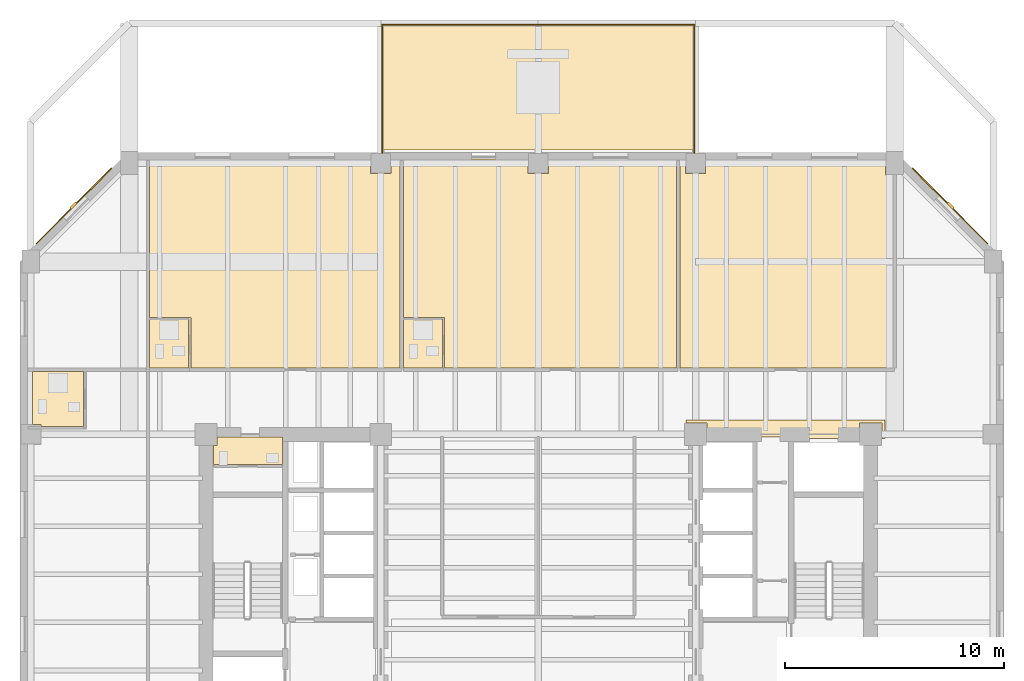
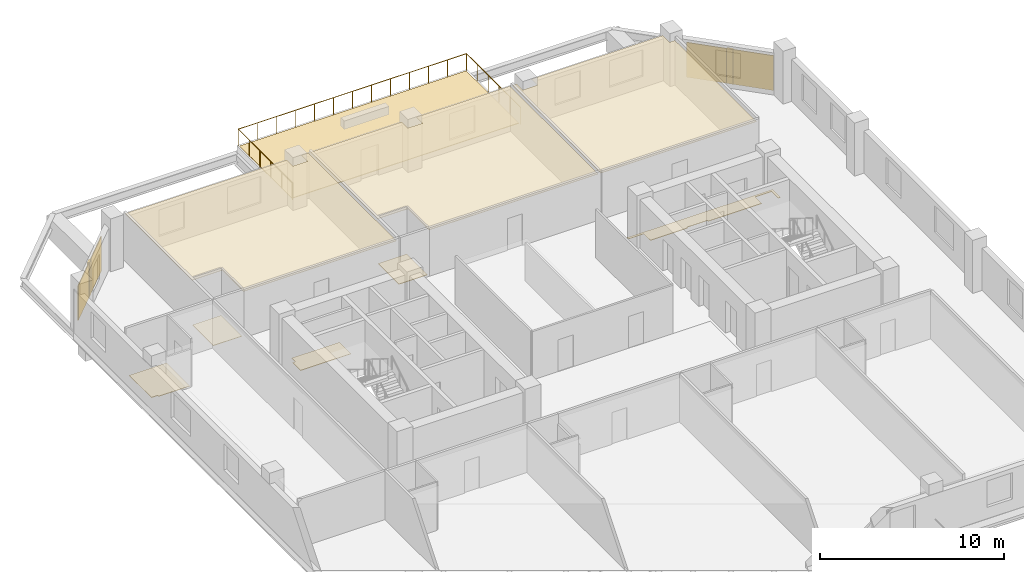
# One storey, part 10 of 11: 11 coverings, 2 shading devices, 1 railing.
"""IFC4 building model written with IfcOpenShell, lengths in metres."""

from ifc_helpers import new_model, si_unit, direction, frame, origin, origin_2d, place, context, subcontext, project, spatial, polyline, rectangle, circle, outline, extrude, material, layer, layer_set, type_object, element, save


model = new_model("IFC4")

# Units and contexts
model_context = context("Model", 3, precision=1e-05, world=origin(), true_north=direction((0.0, 1.0)))
body_context = subcontext(model_context, "Body", "Model", "MODEL_VIEW")
ifc_project = project(units=[si_unit("LENGTHUNIT", "METRE"), si_unit("AREAUNIT", "SQUARE_METRE"), si_unit("VOLUMEUNIT", "CUBIC_METRE"), si_unit("PLANEANGLEUNIT", "RADIAN"), si_unit("MASSUNIT", "GRAM", prefix="KILO")], contexts=[model_context])

# Site, building, storey
site_placement = place(None, origin())
site = spatial("IfcSite", under=ifc_project, at=site_placement, CompositionType="ELEMENT")
building_placement = place(site_placement, origin())
building = spatial("IfcBuilding", under=site, at=building_placement, Name="Kranthara Brick Stack", CompositionType="ELEMENT")
storey_placement = place(building_placement, frame((0.0, 0.0, 120.300048828125)))
storey = spatial("IfcBuildingStorey", under=building, at=storey_placement, Name="L29", CompositionType="ELEMENT", Elevation=120.300048828125)

# Coverings
ifc_material_1 = material(Name="Perforated mineral-fibre acoustic ceiling tile", Category="other")
ifc_layer_1 = layer(ifc_material_1, 0.02490234375)
ifc_layer_set_1 = layer_set([ifc_layer_1], Name="Perforated mineral-fibre acoustic ceiling tile")
covering_type_1 = type_object("IfcCoveringType", Name="COV-CEIL-ACOUSTIC", PredefinedType="CEILING", material=ifc_layer_set_1)
covering_1_placement = place(storey_placement, frame((0.0, 0.0, 2.929931640625)))
element("IfcCovering", 1, at=covering_1_placement, inside=storey, type_object=covering_type_1, Name="L29 Room L29-05 Corner Junior Suite Acoustic Ceiling", PredefinedType="CEILING", context=body_context, shape_type="SweptSolid", body=[
    extrude(outline(polyline([(21.680908203125, 46.199951171875), (21.680908203125, 36.6298828125), (12.110107421875, 36.6298828125), (12.110107421875, 38.93994140625), (10.22998046875, 38.93994140625), (10.22998046875, 46.199951171875), (20.340087890625, 46.199951171875), (20.340087890625, 45.5400390625), (21.260009765625, 45.5400390625), (21.260009765625, 46.199951171875), (21.680908203125, 46.199951171875)])), origin(), (0.0, 0.0, 1.0), 0.02490234375),
])
covering_2_placement = place(storey_placement, frame((0.0, 0.0, 2.929931640625)))
element("IfcCovering", 2, at=covering_2_placement, inside=storey, type_object=covering_type_1, Name="L29 Room L29-06 Corner Junior Suite Acoustic Ceiling", PredefinedType="CEILING", context=body_context, shape_type="SweptSolid", body=[
    extrude(outline(polyline([(34.31591796875, 46.199951171875), (34.31591796875, 36.6298828125), (23.720947265625, 36.6298828125), (23.720947265625, 38.93994140625), (21.841064453125, 38.93994140625), (21.841064453125, 46.199951171875), (27.5400390625, 46.199951171875), (27.5400390625, 45.5400390625), (28.4599609375, 45.5400390625), (28.4599609375, 46.199951171875), (34.31591796875, 46.199951171875)])), origin(), (0.0, 0.0, 1.0), 0.02490234375),
])
covering_3_placement = place(storey_placement, frame((0.0, 0.0, 2.929931640625)))
element("IfcCovering", 3, at=covering_3_placement, inside=storey, type_object=covering_type_1, Name="L29 L29 Guest Sky Lounge 7 Acoustic Ceiling", PredefinedType="CEILING", context=body_context, shape_type="SweptSolid", body=[
    extrude(outline(polyline([(44.219970703125, 36.6298828125), (34.47607421875, 36.6298828125), (34.47607421875, 46.199951171875), (34.739990234375, 46.199951171875), (34.739990234375, 45.5400390625), (35.659912109375, 45.5400390625), (35.659912109375, 46.199951171875), (43.889892578125, 46.199951171875), (43.889892578125, 45.465087890625), (44.219970703125, 45.465087890625), (44.219970703125, 36.6298828125)])), origin(), (0.0, 0.0, 1.0), 0.02490234375),
])
ifc_material_2 = material(Name="Warm buff kiln-fired brick slip rainscreen", Category="masonry")
ifc_layer_2 = layer(ifc_material_2, 0.044921875)
ifc_layer_set_2 = layer_set([ifc_layer_2], Name="Warm buff kiln-fired brick slip rainscreen")
covering_type_2 = type_object("IfcCoveringType", Name="COV-CLAD-BRICK", PredefinedType="CLADDING", material=ifc_layer_set_2)
for number, where, z_axis, x_axis, name in (
    (4, (6.759521484375, 44.040283203125, 0.0498046875), (0.0, 0.0, 1.0), (0.707106781187, 0.707106781187, 0.0), "L29 Chamfer Brick Rainscreen Cladding NW"),
    (5, (46.84033203125, 44.040283203125, 0.0498046875), (0.0, 0.0, 1.0), (0.707106781187, -0.707106781187, 0.0), "L29 Chamfer Brick Rainscreen Cladding NE"),
):
    element("IfcCovering", number, at=place(storey_placement, frame(where, z_axis=z_axis, x_axis=x_axis)), inside=storey, type_object=covering_type_2, Name=name, PredefinedType="CLADDING", context=body_context, shape_type="SweptSolid", body=[
        extrude(rectangle(XDim=4.89306640625, YDim=0.044921875, at=origin_2d()), origin(), (0.0, 0.0, 1.0), 2.300048828125),
    ])
ifc_material_3 = material(Name="Honed terrazzo and porcelain floor finish", Category="stone")
ifc_layer_3 = layer(ifc_material_3, 0.030029296875)
ifc_layer_set_3 = layer_set([ifc_layer_3], Name="Honed terrazzo and porcelain floor finish")
covering_type_3 = type_object("IfcCoveringType", Name="COV-FLOR-STONE", PredefinedType="FLOORING", material=ifc_layer_set_3)
covering_4_placement = place(storey_placement, origin())
element("IfcCovering", 6, at=covering_4_placement, inside=storey, type_object=covering_type_3, Name="L29 Wet Room Porcelain Flooring", PredefinedType="FLOORING", context=body_context, shape_type="SweptSolid", body=[
    extrude(outline(polyline([(16.300048828125, 33.47998046875), (16.300048828125, 32.22998046875), (13.14990234375, 32.22998046875), (13.14990234375, 33.090087890625), (13.31005859375, 33.090087890625), (13.31005859375, 33.47998046875), (16.300048828125, 33.47998046875)])), origin(), (0.0, 0.0, 1.0), 0.030029296875),
])
covering_5_placement = place(storey_placement, origin())
element("IfcCovering", 7, at=covering_5_placement, inside=storey, type_object=covering_type_3, Name="L29 Lift Lobby Stone Flooring", PredefinedType="FLOORING", context=body_context, shape_type="SweptSolid", body=[
    extrude(outline(polyline([(43.7099609375, 33.39990234375), (43.7099609375, 34.110107421875), (42.68994140625, 34.110107421875), (42.68994140625, 33.39990234375), (39.35009765625, 33.39990234375), (39.35009765625, 33.47998046875), (38.050048828125, 33.47998046875), (38.050048828125, 33.39990234375), (35.7099609375, 33.39990234375), (35.7099609375, 34.110107421875), (34.75, 34.110107421875), (34.75, 34.25), (43.85009765625, 34.25), (43.85009765625, 33.39990234375), (43.7099609375, 33.39990234375)])), origin(), (0.0, 0.0, 1.0), 0.030029296875),
])
covering_6_placement = place(storey_placement, origin())
element("IfcCovering", 8, at=covering_6_placement, inside=storey, type_object=covering_type_3, Name="L29 Wet Room Porcelain Flooring", PredefinedType="FLOORING", context=body_context, shape_type="SweptSolid", body=[
    extrude(outline(polyline([(10.22998046875, 36.6298828125), (10.22998046875, 38.8798828125), (12.010009765625, 38.8798828125), (12.010009765625, 36.6298828125), (10.22998046875, 36.6298828125)])), origin(), (0.0, 0.0, 1.0), 0.030029296875),
])
covering_7_placement = place(storey_placement, origin())
element("IfcCovering", 9, at=covering_7_placement, inside=storey, type_object=covering_type_3, Name="L29 Wet Room Porcelain Flooring", PredefinedType="FLOORING", context=body_context, shape_type="SweptSolid", body=[
    extrude(outline(polyline([(21.841064453125, 36.6298828125), (21.841064453125, 38.8798828125), (23.62109375, 38.8798828125), (23.62109375, 36.6298828125), (21.841064453125, 36.6298828125)])), origin(), (0.0, 0.0, 1.0), 0.030029296875),
])
covering_8_placement = place(storey_placement, origin())
element("IfcCovering", 10, at=covering_8_placement, inside=storey, type_object=covering_type_3, Name="L29 Wet Room Porcelain Flooring", PredefinedType="FLOORING", context=body_context, shape_type="SweptSolid", body=[
    extrude(outline(polyline([(7.2099609375, 36.469970703125), (7.2099609375, 33.9599609375), (5.260009765625, 33.9599609375), (5.260009765625, 34.06005859375), (4.8701171875, 34.06005859375), (4.8701171875, 36.469970703125), (7.2099609375, 36.469970703125)])), origin(), (0.0, 0.0, 1.0), 0.030029296875),
])
ifc_material_4 = material(Name="EPDM waterproofing membrane and rigid insulation", Category="other")
ifc_layer_4 = layer(ifc_material_4, 0.0400390625)
ifc_layer_set_4 = layer_set([ifc_layer_4], Name="EPDM waterproofing membrane and rigid insulation")
covering_type_4 = type_object("IfcCoveringType", Name="COV-ROOF-MEMB", PredefinedType="ROOFING", material=ifc_layer_set_4)
covering_9_placement = place(storey_placement, frame((0.0, 0.0, -0.0400390625)))
element("IfcCovering", 11, at=covering_9_placement, inside=storey, type_object=covering_type_4, Name="L29 Sky Garden Waterproofing Membrane", PredefinedType="ROOFING", context=body_context, shape_type="SweptSolid", body=[
    extrude(outline(polyline([(20.89990234375, 46.60009765625), (35.10009765625, 46.60009765625), (35.10009765625, 52.300048828125), (20.89990234375, 52.300048828125), (20.89990234375, 46.60009765625)])), origin(), (0.0, 0.0, 1.0), 0.0400390625),
])

# Railing
ifc_material_5 = material(Name="Bronze anodised aluminium guardrail", Category="aluminium")
railing_type = type_object("IfcRailingType", Name="RL-TERR-1100", PredefinedType="GUARDRAIL", material=ifc_material_5)
railing_placement = place(storey_placement, frame((20.860107421875, 46.4599609375, 0.0)))
element("IfcRailing", 12, at=railing_placement, inside=storey, type_object=railing_type, Name="L29 Sky Garden Perimeter Guardrail", PredefinedType="GUARDRAIL", context=body_context, shape_type="SweptSolid", body=[
    extrude(circle(Radius=0.02392578125, at=origin_2d()), frame((0.0, 0.0, 1.09619140625), z_axis=(0.0, 1.0, 0.0), x_axis=(-1.0, 0.0, 0.0)), (0.0, 0.0, 1.0), 5.880126953125),
    extrude(circle(Radius=0.02392578125, at=origin_2d()), frame((0.0, 5.880126953125, 1.09619140625), z_axis=(1.0, 0.0, 0.0), x_axis=(0.0, 1.0, 0.0)), (0.0, 0.0, 1.0), 14.27978515625),
    extrude(circle(Radius=0.02392578125, at=origin_2d()), frame((14.27978515625, 5.880126953125, 1.09619140625), z_axis=(0.0, -1.0, 0.0), x_axis=(1.0, 0.0, 0.0)), (0.0, 0.0, 1.0), 5.880126953125),
    extrude(circle(Radius=0.02099609375, at=origin_2d()), origin(), (0.0, 0.0, 1.0), 1.072021484375),
    extrude(circle(Radius=0.02099609375, at=origin_2d()), frame((0.0, 1.176025390625, 0.0)), (0.0, 0.0, 1.0), 1.072021484375),
    extrude(circle(Radius=0.02099609375, at=origin_2d()), frame((0.0, 2.35205078125, 0.0)), (0.0, 0.0, 1.0), 1.072021484375),
    extrude(circle(Radius=0.02099609375, at=origin_2d()), frame((0.0, 3.528076171875, 0.0)), (0.0, 0.0, 1.0), 1.072021484375),
    extrude(circle(Radius=0.02099609375, at=origin_2d()), frame((0.0, 4.7041015625, 0.0)), (0.0, 0.0, 1.0), 1.072021484375),
    extrude(circle(Radius=0.02099609375, at=origin_2d()), frame((0.0, 5.880126953125, 0.0)), (0.0, 0.0, 1.0), 1.072021484375),
    extrude(circle(Radius=0.02099609375, at=origin_2d()), frame((1.18994140625, 5.880126953125, 0.0)), (0.0, 0.0, 1.0), 1.072021484375),
    extrude(circle(Radius=0.02099609375, at=origin_2d()), frame((2.3798828125, 5.880126953125, 0.0)), (0.0, 0.0, 1.0), 1.072021484375),
    extrude(circle(Radius=0.02099609375, at=origin_2d()), frame((3.56982421875, 5.880126953125, 0.0)), (0.0, 0.0, 1.0), 1.072021484375),
    extrude(circle(Radius=0.02099609375, at=origin_2d()), frame((4.760009765625, 5.880126953125, 0.0)), (0.0, 0.0, 1.0), 1.072021484375),
    extrude(circle(Radius=0.02099609375, at=origin_2d()), frame((5.949951171875, 5.880126953125, 0.0)), (0.0, 0.0, 1.0), 1.072021484375),
    extrude(circle(Radius=0.02099609375, at=origin_2d()), frame((7.139892578125, 5.880126953125, 0.0)), (0.0, 0.0, 1.0), 1.072021484375),
    extrude(circle(Radius=0.02099609375, at=origin_2d()), frame((8.329833984375, 5.880126953125, 0.0)), (0.0, 0.0, 1.0), 1.072021484375),
    extrude(circle(Radius=0.02099609375, at=origin_2d()), frame((9.519775390625, 5.880126953125, 0.0)), (0.0, 0.0, 1.0), 1.072021484375),
    extrude(circle(Radius=0.02099609375, at=origin_2d()), frame((10.7099609375, 5.880126953125, 0.0)), (0.0, 0.0, 1.0), 1.072021484375),
    extrude(circle(Radius=0.02099609375, at=origin_2d()), frame((11.89990234375, 5.880126953125, 0.0)), (0.0, 0.0, 1.0), 1.072021484375),
    extrude(circle(Radius=0.02099609375, at=origin_2d()), frame((13.08984375, 5.880126953125, 0.0)), (0.0, 0.0, 1.0), 1.072021484375),
    extrude(circle(Radius=0.02099609375, at=origin_2d()), frame((14.27978515625, 5.880126953125, 0.0)), (0.0, 0.0, 1.0), 1.072021484375),
    extrude(circle(Radius=0.02099609375, at=origin_2d()), frame((14.27978515625, 4.7041015625, 0.0)), (0.0, 0.0, 1.0), 1.072021484375),
    extrude(circle(Radius=0.02099609375, at=origin_2d()), frame((14.27978515625, 3.528076171875, 0.0)), (0.0, 0.0, 1.0), 1.072021484375),
    extrude(circle(Radius=0.02099609375, at=origin_2d()), frame((14.27978515625, 2.35205078125, 0.0)), (0.0, 0.0, 1.0), 1.072021484375),
    extrude(circle(Radius=0.02099609375, at=origin_2d()), frame((14.27978515625, 1.176025390625, 0.0)), (0.0, 0.0, 1.0), 1.072021484375),
    extrude(circle(Radius=0.02099609375, at=origin_2d()), frame((14.27978515625, 0.0, 0.0)), (0.0, 0.0, 1.0), 1.072021484375),
])

# Shading devices
ifc_material_6 = material(Name="Kiln-fired terracotta aerodynamic wind fin", Category="masonry")
shading_device_type = type_object("IfcShadingDeviceType", Name="SHD-BAFFLE-CORNER", PredefinedType="SHUTTER", material=ifc_material_6)
for number, where, z_axis, x_axis, name in (
    (13, (6.73828125, 44.0615234375, 0.0498046875), (0.0, 0.0, 1.0), (0.707106781187, 0.707106781187, 0.0), "L29 Chamfer Wind-Baffle Fin NW"),
    (14, (46.861572265625, 44.0615234375, 0.0498046875), (0.0, 0.0, 1.0), (0.707106781187, -0.707106781187, 0.0), "L29 Chamfer Wind-Baffle Fin NE"),
):
    element("IfcShadingDevice", number, at=place(storey_placement, frame(where, z_axis=z_axis, x_axis=x_axis)), inside=storey, type_object=shading_device_type, Name=name, PredefinedType="SHUTTER", context=body_context, shape_type="SweptSolid", body=[
        extrude(rectangle(XDim=0.35009765625, YDim=0.1201171875, at=origin_2d()), origin(), (0.0, 0.0, 1.0), 2.300048828125),
    ])

save(model, "model.ifc")
